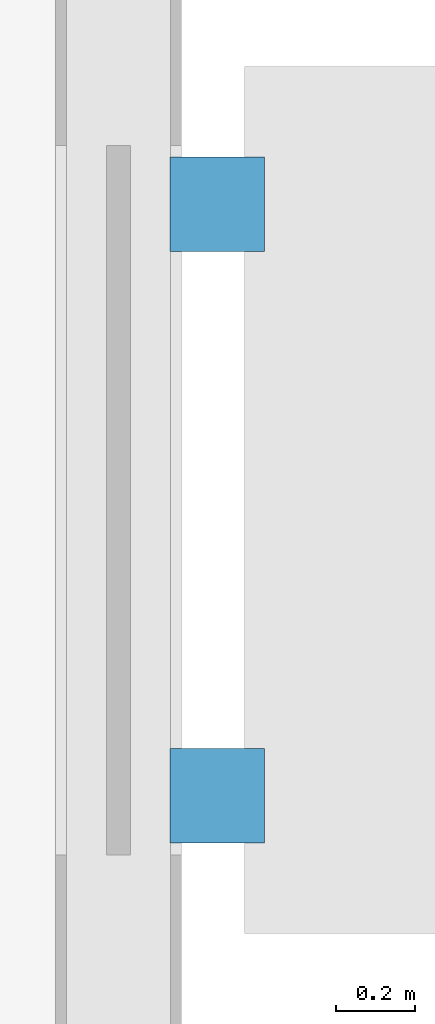
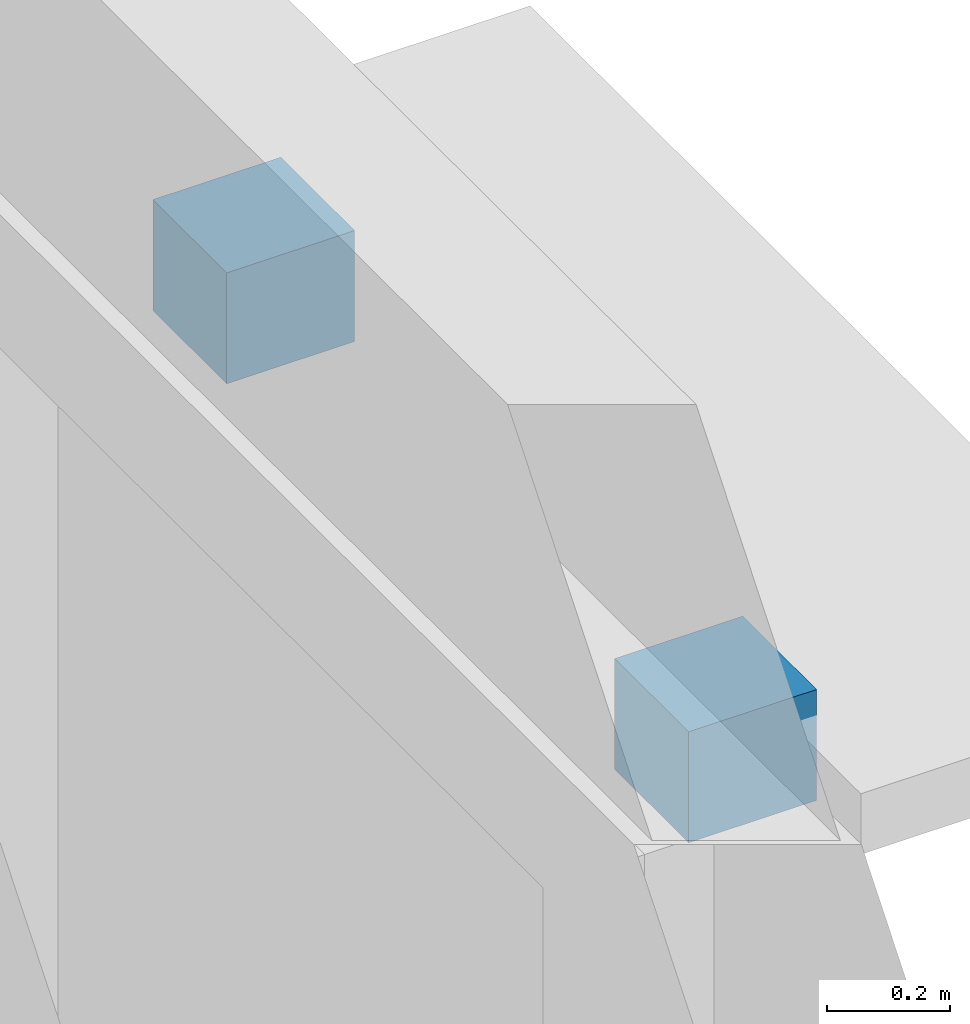
# One storey, part 25 of 31: 2 discrete accessories.
"""IFC4 building model written with IfcOpenShell, lengths in metres."""

from ifc_helpers import new_model, si_unit, direction, frame, origin, origin_2d, place, context, subcontext, project, spatial, rectangle, extrude, material, type_object, element, save


model = new_model("IFC4")

# Units and contexts
model_context = context("Model", 3, precision=1e-05, world=origin(), true_north=direction((0.0, 1.0)))
body_context = subcontext(model_context, "Body", "Model", "MODEL_VIEW")
ifc_project = project(units=[si_unit("LENGTHUNIT", "METRE"), si_unit("AREAUNIT", "SQUARE_METRE"), si_unit("VOLUMEUNIT", "CUBIC_METRE"), si_unit("PLANEANGLEUNIT", "RADIAN"), si_unit("MASSUNIT", "GRAM", prefix="KILO")], contexts=[model_context])

# Site, building, storey
site_placement = place(None, origin())
site = spatial("IfcSite", under=ifc_project, at=site_placement, CompositionType="ELEMENT")
building_placement = place(site_placement, origin())
building = spatial("IfcBuilding", under=site, at=building_placement, Name="Veldera Park Congress Hotel", CompositionType="ELEMENT")
storey_placement = place(building_placement, frame((0.0, 0.0, 20.0)))
storey = spatial("IfcBuildingStorey", under=building, at=storey_placement, Name="L04", CompositionType="ELEMENT", Elevation=20.0)

# Discrete accessories
ifc_material = material(Name="Steel ASTM A992 Gr.50", Category="steel")
discrete_accessory_type = type_object("IfcDiscreteAccessoryType", Name="ACC-BRK160", PredefinedType="BRACKET", material=ifc_material)
for number, where, z_axis, x_axis, name in (
    (1, (84.25, 43.611083984375, 2.669921875), (0.0, 0.0, 1.0), (0.0, 1.0, 0.0), "Shading Steel Outrigger Bracket 147L"),
    (2, (84.25, 45.111083984375, 2.669921875), (0.0, 0.0, 1.0), (0.0, 1.0, 0.0), "Shading Steel Outrigger Bracket 147R"),
):
    element("IfcDiscreteAccessory", number, at=place(storey_placement, frame(where, z_axis=z_axis, x_axis=x_axis)), inside=storey, type_object=discrete_accessory_type, Name=name, PredefinedType="BRACKET", context=body_context, shape_type="SweptSolid", body=[
        extrude(rectangle(XDim=0.239990234375, YDim=0.239990234375, at=origin_2d()), origin(), (0.0, 0.0, 1.0), 0.219970703125),
    ])

save(model, "model.ifc")
